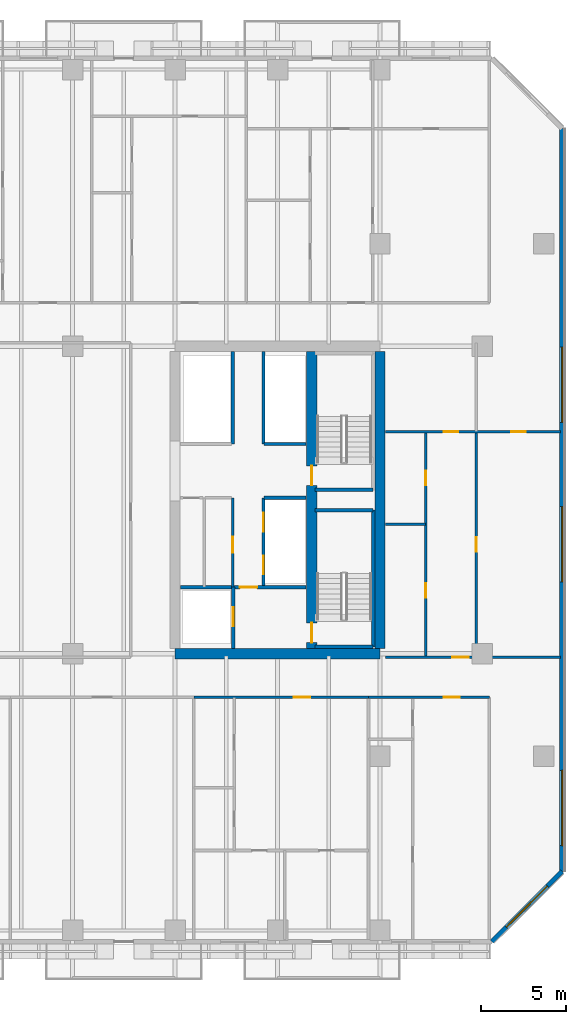
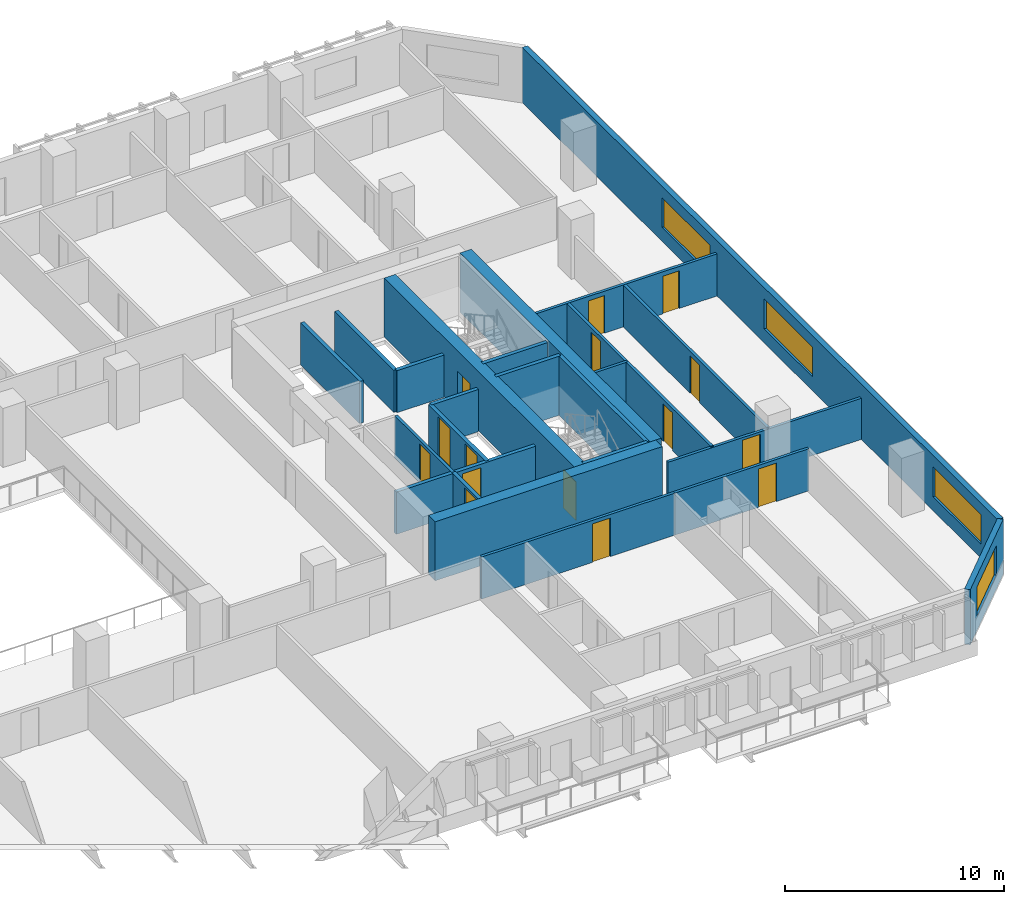
# One storey, part 14 of 25: 24 walls, 15 doors, 4 windows, 19 openings.
"""IFC4 building model written with IfcOpenShell, lengths in metres."""

import ifcopenshell
import ifcopenshell.guid

model = None  # the IFC model being written
_history = None  # IfcOwnerHistory: only IFC2X3 demands one
_inside = {}  # id of a spatial element -> (the spatial element, [elements in it])
_under = {}  # id of a project, library or spatial element -> (it, [spatial elements below it])
_declared = {}  # id of a project -> (the project, [libraries it declares])
_typed = {}  # id of a type object -> (the type object, [elements of that type])
_made_of = {}  # id of a material, layer set ... -> (it, [elements and type objects made of it])


def new_model(schema):
    """Start an empty IFC model of exactly this schema.

    Asked for "IFC4X3", IfcOpenShell would pick the latest addendum, in which some entities
    have other attributes; the version numbers below select the first issue.
    IFC2X3 requires an IfcOwnerHistory on every rooted entity: one is made here for all.
    """
    global model, _history
    if schema == "IFC4X3":
        model = ifcopenshell.file(schema_version=(4, 3, 0, 0))
    else:
        model = ifcopenshell.file(schema=schema)
    _inside.clear()
    _under.clear()
    _declared.clear()
    _typed.clear()
    _made_of.clear()
    _history = None
    if model.schema == "IFC2X3":
        org = make("IfcOrganization", Name="unknown")
        user = make(
            "IfcPersonAndOrganization",
            ThePerson=make("IfcPerson", FamilyName="unknown"),
            TheOrganization=org,
        )
        app = make(
            "IfcApplication",
            ApplicationDeveloper=org,
            Version="unknown",
            ApplicationFullName="unknown",
            ApplicationIdentifier="unknown",
        )
        _history = make(
            "IfcOwnerHistory",
            OwningUser=user,
            OwningApplication=app,
            ChangeAction="ADDED",
            CreationDate=0,
        )
    return model


def make(cls, **values):
    """One entity of the class cls with the attributes given. An attribute that is None is left unset."""
    return model.create_entity(
        cls, **{name: value for name, value in values.items() if value is not None}
    )


def rooted(cls, **values):
    """An entity with a GlobalId (a new one), such as an element, a storey or a relation."""
    return make(cls, GlobalId=ifcopenshell.guid.new(), OwnerHistory=_history, **values)


def si_unit(unit_type, name, prefix=None):
    """IfcSIUnit, for example si_unit("LENGTHUNIT", "METRE", prefix="MILLI")."""
    return make("IfcSIUnit", UnitType=unit_type, Prefix=prefix, Name=name)


def assignment(units):
    """IfcUnitAssignment: the units of a project."""
    return None if units is None else make("IfcUnitAssignment", Units=units)


def point(xyz):
    """IfcCartesianPoint."""
    return None if xyz is None else make("IfcCartesianPoint", Coordinates=xyz)


def direction(xyz):
    """IfcDirection."""
    return None if xyz is None else make("IfcDirection", DirectionRatios=xyz)


def frame(location, z_axis=None, x_axis=None):
    """IfcAxis2Placement3D, a coordinate frame: its origin and axes. An axis left out is left unset."""
    return make(
        "IfcAxis2Placement3D",
        Location=point(location),
        Axis=direction(z_axis),
        RefDirection=direction(x_axis),
    )


def frame_2d(location, x_axis=None):
    """IfcAxis2Placement2D, a coordinate frame in the plane: its origin and x axis."""
    return make(
        "IfcAxis2Placement2D", Location=point(location), RefDirection=direction(x_axis)
    )


def origin():
    """The frame at (0, 0, 0) with its axes left unset."""
    return frame((0.0, 0.0, 0.0))


def place(relative_to, where):
    """IfcLocalPlacement: puts the frame where relative to a parent placement (None: the world)."""
    return make(
        "IfcLocalPlacement", PlacementRelTo=relative_to, RelativePlacement=where
    )


def context(
    kind, dimensions, precision=None, world=None, true_north=None, identifier=None
):
    """IfcGeometricRepresentationContext, for example the 3D "Model" context."""
    return make(
        "IfcGeometricRepresentationContext",
        ContextIdentifier=identifier,
        ContextType=kind,
        CoordinateSpaceDimension=dimensions,
        Precision=precision,
        WorldCoordinateSystem=world,
        TrueNorth=true_north,
    )


def subcontext(parent, identifier, kind, view, scale=None):
    """IfcGeometricRepresentationSubContext, for example "Body" below "Model"."""
    return make(
        "IfcGeometricRepresentationSubContext",
        ContextIdentifier=identifier,
        ContextType=kind,
        ParentContext=parent,
        TargetScale=scale,
        TargetView=view,
    )


def project(units=None, contexts=None):
    """IfcProject with its units and contexts."""
    return rooted(
        "IfcProject",
        Name="project",
        RepresentationContexts=contexts,
        UnitsInContext=assignment(units),
    )


def spatial(cls, under=None, at=None, **own):
    """A site, building, storey or space (cls), placed at a placement, below another one or the project."""
    s = rooted(cls, ObjectPlacement=at, **own)
    if under is not None:
        _under.setdefault(under.id(), (under, []))[1].append(s)
    return s


def profile(cls, at=None, kind="AREA", **sizes):
    """A parametric profile (cls). Its sizes go by their IFC names, for example OverallWidth=200.0."""
    return make(cls, ProfileType=kind, Position=at, **sizes)


def rectangle(**sizes):
    """IfcRectangleProfileDef."""
    return profile("IfcRectangleProfileDef", **sizes)


def extrude(swept, where, along, depth):
    """IfcExtrudedAreaSolid: the profile swept, set in the frame where, extruded along a direction by depth."""
    return make(
        "IfcExtrudedAreaSolid",
        SweptArea=swept,
        Position=where,
        ExtrudedDirection=direction(along),
        Depth=depth,
    )


def shape(context_of_items, identifier, shape_type, items):
    """IfcShapeRepresentation: the items that make up one representation, for example the "Body"."""
    return make(
        "IfcShapeRepresentation",
        ContextOfItems=context_of_items,
        RepresentationIdentifier=identifier,
        RepresentationType=shape_type,
        Items=items,
    )


def material(Name=None, Category=None):
    """IfcMaterial."""
    return make("IfcMaterial", Name=Name, Category=Category)


def layer(
    of_material, thickness, ventilated=None, Name=None, Category=None, Priority=None
):
    """IfcMaterialLayer: one layer of a wall or slab, of a material (None: an air gap)."""
    return make(
        "IfcMaterialLayer",
        Material=of_material,
        LayerThickness=thickness,
        IsVentilated=ventilated,
        Name=Name,
        Category=Category,
        Priority=Priority,
    )


def layer_set(layers, Name=None):
    """IfcMaterialLayerSet."""
    return make("IfcMaterialLayerSet", MaterialLayers=layers, LayerSetName=Name)


def made_of(thing, what):
    """Note that an element or type object is made of a material, layer set ...; save() writes the relation."""
    if what is not None:
        _made_of.setdefault(what.id(), (what, []))[1].append(thing)
    return thing


def type_object(cls, material=None, **own):
    """A type object (cls), such as IfcWallType, which elements share."""
    return made_of(rooted(cls, **own), material)


def element(
    cls,
    number,
    at=None,
    inside=None,
    cuts=None,
    type_object=None,
    material=None,
    context=None,
    identifier="Body",
    shape_type=None,
    held_by="IfcProductDefinitionShape",
    body=None,
    shapes=None,
    **own,
):
    """One element of the class cls, such as IfcWall. Its Tag is "e" and its number.

    at: its placement. inside: the storey or other place that contains it. cuts: it is an
    opening in that element (IfcRelVoidsElement). A single representation is given by context,
    identifier, shape_type and body (its items); several are given by shapes. held_by: the class
    of the entity that holds the representations. save() writes the other relations.
    """
    e = rooted(cls, Tag="e%d" % number, ObjectPlacement=at, **own)
    if body is not None:
        shapes = [shape(context, identifier, shape_type, body)]
    if shapes is not None:
        e.Representation = make(held_by, Representations=shapes)
    if inside is not None:
        _inside.setdefault(inside.id(), (inside, []))[1].append(e)
    if cuts is not None:
        rooted(
            "IfcRelVoidsElement", RelatingBuildingElement=cuts, RelatedOpeningElement=e
        )
    if type_object is not None:
        _typed.setdefault(type_object.id(), (type_object, []))[1].append(e)
    return made_of(e, material)


def fill(opening, filler):
    """IfcRelFillsElement: the door or window that sits in an opening."""
    return rooted(
        "IfcRelFillsElement",
        RelatingOpeningElement=opening,
        RelatedBuildingElement=filler,
    )


def aggregate(whole, parts):
    """IfcRelAggregates: a whole, such as a stair, and the parts it consists of."""
    return rooted("IfcRelAggregates", RelatingObject=whole, RelatedObjects=parts)


def save(model, path):
    """Write the relations noted so far, then the file.

    IfcRelAggregates (storeys below a building ...), IfcRelContainedInSpatialStructure (elements
    in a storey), IfcRelDefinesByType, IfcRelAssociatesMaterial and IfcRelDeclares: one each for
    every whole, place, type object, material and project.
    """
    for whole, parts in _under.values():
        aggregate(whole, parts)
    for where, things in _inside.values():
        rooted(
            "IfcRelContainedInSpatialStructure",
            RelatedElements=things,
            RelatingStructure=where,
        )
    for kind, things in _typed.values():
        rooted("IfcRelDefinesByType", RelatedObjects=things, RelatingType=kind)
    for what, things in _made_of.values():
        rooted("IfcRelAssociatesMaterial", RelatedObjects=things, RelatingMaterial=what)
    for by, libraries in _declared.values():
        rooted("IfcRelDeclares", RelatingContext=by, RelatedDefinitions=libraries)
    model.write(path)


model = new_model("IFC4")

# Units and contexts
model_context = context("Model", 3, precision=1e-05, world=origin(), true_north=direction((0.0, 1.0)))
body_context = subcontext(model_context, "Body", "Model", "MODEL_VIEW")
ifc_project = project(units=[si_unit("LENGTHUNIT", "METRE"), si_unit("AREAUNIT", "SQUARE_METRE"), si_unit("VOLUMEUNIT", "CUBIC_METRE"), si_unit("PLANEANGLEUNIT", "RADIAN"), si_unit("MASSUNIT", "GRAM", prefix="KILO")], contexts=[model_context])

# Site, building, storey
site_placement = place(None, origin())
site = spatial("IfcSite", under=ifc_project, at=site_placement, CompositionType="ELEMENT")
building_placement = place(site_placement, origin())
building = spatial("IfcBuilding", under=site, at=building_placement, Name="Tanjung Sevakor Pilgrim Tower", CompositionType="ELEMENT")
storey_placement = place(building_placement, frame((0.0, 0.0, 42.239990234375)))
storey = spatial("IfcBuildingStorey", under=building, at=storey_placement, Name="L11", CompositionType="ELEMENT", Elevation=42.239990234375)

# Walls
ifc_material_1 = material(Name="Concrete C60/75", Category="concrete")
ifc_layer_1 = layer(ifc_material_1, 0.60009765625)
ifc_layer_set_1 = layer_set([ifc_layer_1], Name="WALL-CW-600")
wall_type_1 = type_object("IfcWallType", Name="WALL-CW-600", PredefinedType="SHEAR", material=ifc_layer_set_1)
wall_1_placement = place(storey_placement, frame((78.0, 24.60009765625, 0.0), z_axis=(0.0, 0.0, 1.0), x_axis=(1.0, 0.0, 0.0)))
element("IfcWall", 1, at=wall_1_placement, inside=storey, type_object=wall_type_1, Name="L11 E Core South Shear Wall", PredefinedType="SHEAR", context=body_context, shape_type="SweptSolid", body=[
    extrude(rectangle(XDim=12.0, YDim=0.60009765625, at=frame_2d((6.0, 0.0))), origin(), (0.0, 0.0, 1.0), 3.300048828125),
])
wall_2_placement = place(storey_placement, frame((90.0, 24.89990234375, 0.0), z_axis=(0.0, 0.0, 1.0), x_axis=(0.0, 1.0, 0.0)))
element("IfcWall", 2, at=wall_2_placement, inside=storey, type_object=wall_type_1, Name="L11 E Core Outer Shear Wall", PredefinedType="SHEAR", context=body_context, shape_type="SweptSolid", body=[
    extrude(rectangle(XDim=17.400146484375, YDim=0.60009765625, at=frame_2d((8.7001953125, 0.0))), origin(), (0.0, 0.0, 1.0), 3.300048828125),
])

# Wall, openings, doors
wall_3_placement = place(storey_placement, frame((86.0, 24.89990234375, 0.0), z_axis=(0.0, 0.0, 1.0), x_axis=(0.0, 1.0, 0.0)))
wall_3 = element("IfcWall", 3, at=wall_3_placement, inside=storey, type_object=wall_type_1, Name="L11 E Core Stair Spine Wall", PredefinedType="SHEAR", context=body_context, shape_type="SweptSolid", body=[
    extrude(rectangle(XDim=17.400146484375, YDim=0.60009765625, at=frame_2d((8.7001953125, 0.0))), origin(), (0.0, 0.0, 1.0), 3.300048828125),
])
opening_1_placement = place(wall_3_placement, frame((0.35009765625, 0.0, 0.0)))
opening_1 = element("IfcOpeningElement", 4, at=opening_1_placement, cuts=wall_3, Name="Opening ID-ST1", PredefinedType="OPENING", context=body_context, shape_type="SweptSolid", body=[
    extrude(rectangle(XDim=1.14990234375, YDim=2.14990234375, at=frame_2d((0.574951171875, 1.074951171875))), frame((0.0, 0.31005859375, 0.0), z_axis=(0.0, -1.0, 0.0), x_axis=(1.0, 0.0, 0.0)), (0.0, 0.0, 1.0), 0.6201171875),
])
opening_2_placement = place(wall_3_placement, frame((9.550048828125, 0.0, 0.0)))
opening_2 = element("IfcOpeningElement", 5, at=opening_2_placement, cuts=wall_3, Name="Opening ID-ST1", PredefinedType="OPENING", context=body_context, shape_type="SweptSolid", body=[
    extrude(rectangle(XDim=1.14990234375, YDim=2.14990234375, at=frame_2d((0.574951171875, 1.074951171875))), frame((0.0, 0.31005859375, 0.0), z_axis=(0.0, -1.0, 0.0), x_axis=(1.0, 0.0, 0.0)), (0.0, 0.0, 1.0), 0.6201171875),
])
ifc_material_2 = material(Name="Fire-Rated Steel S355J2", Category="steel")
door_type_1 = type_object("IfcDoorType", Name="DT-FIRE-1150", OperationType="NOTDEFINED", PredefinedType="DOOR", material=ifc_material_2)
door_1_placement = place(opening_1_placement, origin())
door_1 = element("IfcDoor", 6, at=door_1_placement, inside=storey, type_object=door_type_1, Name="L11 TS-E1 Stair Fire Door", OperationType="SINGLE_SWING_RIGHT", OverallHeight=2.14990234375, OverallWidth=1.14990234375, PredefinedType="DOOR", context=body_context, shape_type="SweptSolid", body=[
    extrude(rectangle(XDim=1.14990234375, YDim=2.14990234375, at=frame_2d((0.574951171875, 1.074951171875))), frame((0.0, 0.02490234375, 0.0), z_axis=(0.0, -1.0, 0.0), x_axis=(1.0, 0.0, 0.0)), (0.0, 0.0, 1.0), 0.050048828125),
])
fill(opening_1, door_1)
door_2_placement = place(opening_2_placement, origin())
door_2 = element("IfcDoor", 7, at=door_2_placement, inside=storey, type_object=door_type_1, Name="L11 TS-E2 Stair Fire Door", OperationType="SINGLE_SWING_LEFT", OverallHeight=2.14990234375, OverallWidth=1.14990234375, PredefinedType="DOOR", context=body_context, shape_type="SweptSolid", body=[
    extrude(rectangle(XDim=1.14990234375, YDim=2.14990234375, at=frame_2d((0.574951171875, 1.074951171875))), frame((0.0, 0.02490234375, 0.0), z_axis=(0.0, -1.0, 0.0), x_axis=(1.0, 0.0, 0.0)), (0.0, 0.0, 1.0), 0.050048828125),
])
fill(opening_2, door_2)

# Wall, opening, door
ifc_material_3 = material(Name="Concrete C40/50", Category="concrete")
ifc_layer_2 = layer(ifc_material_3, 0.14990234375)
ifc_layer_set_2 = layer_set([ifc_layer_2], Name="WT-COMP-150")
wall_type_2 = type_object("IfcWallType", Name="WT-COMP-150", PredefinedType="SOLIDWALL", material=ifc_layer_set_2)
wall_4_placement = place(storey_placement, frame((81.3798828125, 28.5, 0.0), z_axis=(0.0, 0.0, 1.0), x_axis=(0.0, 1.0, 0.0)))
wall_4 = element("IfcWall", 8, at=wall_4_placement, inside=storey, type_object=wall_type_2, Name="L11 Partition IW-L11-020", PredefinedType="SOLIDWALL", context=body_context, shape_type="SweptSolid", body=[
    extrude(rectangle(XDim=5.219970703125, YDim=0.14990234375, at=frame_2d((2.60986328125, 0.0))), origin(), (0.0, 0.0, 1.0), 2.35009765625),
])
opening_3_placement = place(wall_4_placement, frame((2.0, 0.0, 0.0)))
opening_3 = element("IfcOpeningElement", 9, at=opening_3_placement, cuts=wall_4, Name="Opening ID-FD2", PredefinedType="OPENING", context=body_context, shape_type="SweptSolid", body=[
    extrude(rectangle(XDim=0.949951171875, YDim=2.14990234375, at=frame_2d((0.47509765625, 1.074951171875))), frame((0.0, 0.0849609375, 0.0), z_axis=(0.0, -1.0, 0.0), x_axis=(1.0, 0.0, 0.0)), (0.0, 0.0, 1.0), 0.169921875),
])
ifc_material_4 = material(Name="Fire-Rated Timber", Category="wood")
door_type_2 = type_object("IfcDoorType", Name="DT-FIRE-950", OperationType="NOTDEFINED", PredefinedType="DOOR", material=ifc_material_4)
door_3_placement = place(opening_3_placement, origin())
door_3 = element("IfcDoor", 10, at=door_3_placement, inside=storey, type_object=door_type_2, Name="L11 Accessible WC Door", OperationType="SINGLE_SWING_LEFT", OverallHeight=2.14990234375, OverallWidth=0.949951171875, PredefinedType="DOOR", context=body_context, shape_type="SweptSolid", body=[
    extrude(rectangle(XDim=0.949951171875, YDim=2.14990234375, at=frame_2d((0.47509765625, 1.074951171875))), frame((0.0, 0.02490234375, 0.0), z_axis=(0.0, -1.0, 0.0), x_axis=(1.0, 0.0, 0.0)), (0.0, 0.0, 1.0), 0.050048828125),
])
fill(opening_3, door_3)

wall_5_placement = place(storey_placement, frame((90.320068359375, 24.39990234375, 0.0), z_axis=(0.0, 0.0, 1.0), x_axis=(1.0, 0.0, 0.0)))
wall_5 = element("IfcWall", 11, at=wall_5_placement, inside=storey, type_object=wall_type_2, Name="L11 Partition IW-L11-039", PredefinedType="SOLIDWALL", context=body_context, shape_type="SweptSolid", body=[
    extrude(rectangle(XDim=10.239990234375, YDim=0.14990234375, at=frame_2d((5.1201171875, 0.0))), origin(), (0.0, 0.0, 1.0), 2.295166015625),
])
opening_4_placement = place(wall_5_placement, frame((3.91259765625, 0.0, 0.0)))
opening_4 = element("IfcOpeningElement", 12, at=opening_4_placement, cuts=wall_5, Name="Opening ID-FD2", PredefinedType="OPENING", context=body_context, shape_type="SweptSolid", body=[
    extrude(rectangle(XDim=0.949951171875, YDim=2.14990234375, at=frame_2d((0.47509765625, 1.074951171875))), frame((0.0, 0.0849609375, 0.0), z_axis=(0.0, -1.0, 0.0), x_axis=(1.0, 0.0, 0.0)), (0.0, 0.0, 1.0), 0.169921875),
])
door_4_placement = place(opening_4_placement, origin())
door_4 = element("IfcDoor", 13, at=door_4_placement, inside=storey, type_object=door_type_2, Name="Suite Entrance", OperationType="SINGLE_SWING_RIGHT", OverallHeight=2.14990234375, OverallWidth=0.949951171875, PredefinedType="DOOR", context=body_context, shape_type="SweptSolid", body=[
    extrude(rectangle(XDim=0.949951171875, YDim=2.14990234375, at=frame_2d((0.47509765625, 1.074951171875))), frame((0.0, 0.02490234375, 0.0), z_axis=(0.0, -1.0, 0.0), x_axis=(1.0, 0.0, 0.0)), (0.0, 0.0, 1.0), 0.050048828125),
])
fill(opening_4, door_4)

wall_6_placement = place(storey_placement, frame((79.107177734375, 22.050048828125, 0.0), z_axis=(0.0, 0.0, 1.0), x_axis=(1.0, 0.0, 0.0)))
wall_6 = element("IfcWall", 14, at=wall_6_placement, inside=storey, type_object=wall_type_2, Name="L11 Partition IW-L11-062", PredefinedType="SOLIDWALL", context=body_context, shape_type="SweptSolid", body=[
    extrude(rectangle(XDim=10.218505859375, YDim=0.14990234375, at=frame_2d((5.109375, 0.0))), origin(), (0.0, 0.0, 1.0), 2.35009765625),
])
opening_5_placement = place(wall_6_placement, frame((5.849365234375, 0.0, 0.0)))
opening_5 = element("IfcOpeningElement", 15, at=opening_5_placement, cuts=wall_6, Name="Opening ID-FD2", PredefinedType="OPENING", context=body_context, shape_type="SweptSolid", body=[
    extrude(rectangle(XDim=0.949951171875, YDim=2.14990234375, at=frame_2d((0.47509765625, 1.074951171875))), frame((0.0, 0.0849609375, 0.0), z_axis=(0.0, -1.0, 0.0), x_axis=(1.0, 0.0, 0.0)), (0.0, 0.0, 1.0), 0.169921875),
])
door_5_placement = place(opening_5_placement, origin())
door_5 = element("IfcDoor", 16, at=door_5_placement, inside=storey, type_object=door_type_2, Name="Suite Entrance", OperationType="SINGLE_SWING_RIGHT", OverallHeight=2.14990234375, OverallWidth=0.949951171875, PredefinedType="DOOR", context=body_context, shape_type="SweptSolid", body=[
    extrude(rectangle(XDim=0.949951171875, YDim=2.14990234375, at=frame_2d((0.47509765625, 1.074951171875))), frame((0.0, 0.02490234375, 0.0), z_axis=(0.0, -1.0, 0.0), x_axis=(1.0, 0.0, 0.0)), (0.0, 0.0, 1.0), 0.050048828125),
])
fill(opening_5, door_5)

wall_7_placement = place(storey_placement, frame((89.32568359375, 22.050048828125, 0.0), z_axis=(0.0, 0.0, 1.0), x_axis=(1.0, 0.0, 0.0)))
wall_7 = element("IfcWall", 17, at=wall_7_placement, inside=storey, type_object=wall_type_2, Name="L11 Partition IW-L11-065", PredefinedType="SOLIDWALL", context=body_context, shape_type="SweptSolid", body=[
    extrude(rectangle(XDim=7.07421875, YDim=0.14990234375, at=frame_2d((3.537109375, 0.0))), origin(), (0.0, 0.0, 1.0), 2.35009765625),
])
opening_6_placement = place(wall_7_placement, frame((4.3994140625, 0.0, 0.0)))
opening_6 = element("IfcOpeningElement", 18, at=opening_6_placement, cuts=wall_7, Name="Opening ID-FD2", PredefinedType="OPENING", context=body_context, shape_type="SweptSolid", body=[
    extrude(rectangle(XDim=0.949951171875, YDim=2.14990234375, at=frame_2d((0.47509765625, 1.074951171875))), frame((0.0, 0.0849609375, 0.0), z_axis=(0.0, -1.0, 0.0), x_axis=(1.0, 0.0, 0.0)), (0.0, 0.0, 1.0), 0.169921875),
])
door_6_placement = place(opening_6_placement, origin())
door_6 = element("IfcDoor", 19, at=door_6_placement, inside=storey, type_object=door_type_2, Name="Hostel Quad Entrance", OperationType="SINGLE_SWING_LEFT", OverallHeight=2.14990234375, OverallWidth=0.949951171875, PredefinedType="DOOR", context=body_context, shape_type="SweptSolid", body=[
    extrude(rectangle(XDim=0.949951171875, YDim=2.14990234375, at=frame_2d((0.47509765625, 1.074951171875))), frame((0.0, 0.02490234375, 0.0), z_axis=(0.0, -1.0, 0.0), x_axis=(1.0, 0.0, 0.0)), (0.0, 0.0, 1.0), 0.050048828125),
])
fill(opening_6, door_6)

# Wall, opening, window
ifc_material_5 = material(Name="Precast concrete C45/55", Category="concrete")
ifc_layer_3 = layer(ifc_material_5, 0.280029296875)
ifc_layer_set_3 = layer_set([ifc_layer_3], Name="WT-EW-STN2")
wall_type_3 = type_object("IfcWallType", Name="WT-EW-STN2", PredefinedType="SOLIDWALL", material=ifc_layer_set_3)
wall_8_placement = place(storey_placement, frame((96.5419921875, 7.739990234375, 0.0), z_axis=(0.0, 0.0, 1.0), x_axis=(0.707106781187, 0.707106781187, 0.0)))
wall_8 = element("IfcWall", 20, at=wall_8_placement, inside=storey, type_object=wall_type_3, Name="L11 MAIN Sculpted Corner Wall 5", PredefinedType="SOLIDWALL", context=body_context, shape_type="SweptSolid", body=[
    extrude(rectangle(XDim=5.82373046875, YDim=0.280029296875, at=frame_2d((2.911865234375, 0.0))), origin(), (0.0, 0.0, 1.0), 3.080078125),
])
opening_7_placement = place(wall_8_placement, frame((1.2119140625, 0.0, 0.780029296875)))
opening_7 = element("IfcOpeningElement", 21, at=opening_7_placement, cuts=wall_8, Name="Opening WN-CHM-1660", PredefinedType="OPENING", context=body_context, shape_type="SweptSolid", body=[
    extrude(rectangle(XDim=3.39990234375, YDim=1.659912109375, at=frame_2d((1.699951171875, 0.830078125))), frame((0.0, 0.14990234375, 0.0), z_axis=(0.0, -1.0, 0.0), x_axis=(1.0, 0.0, 0.0)), (0.0, 0.0, 1.0), 0.300048828125),
])
ifc_material_6 = material(Name="Thermally Broken Aluminium and Low-E Glass", Category="aluminium")
window_type_1 = type_object("IfcWindowType", Name="WTYP-WN-CHM-1660", PartitioningType="DOUBLE_PANEL_VERTICAL", PredefinedType="WINDOW", material=ifc_material_6)
window_1_placement = place(opening_7_placement, origin())
window_1 = element("IfcWindow", 22, at=window_1_placement, inside=storey, type_object=window_type_1, Name="L11 Facade Window 01", OverallHeight=1.659912109375, OverallWidth=3.39990234375, PartitioningType="SINGLE_PANEL", PredefinedType="WINDOW", context=body_context, shape_type="SweptSolid", body=[
    extrude(rectangle(XDim=3.39990234375, YDim=1.659912109375, at=frame_2d((1.699951171875, 0.830078125))), frame((0.0, 0.030029296875, 0.0), z_axis=(0.0, -1.0, 0.0), x_axis=(1.0, 0.0, 0.0)), (0.0, 0.0, 1.0), 0.06005859375),
])
fill(opening_7, window_1)

# Wall, openings, windows
wall_9_placement = place(storey_placement, frame((100.659912109375, 11.85791015625, 0.0), z_axis=(0.0, 0.0, 1.0), x_axis=(0.0, 1.0, 0.0)))
wall_9 = element("IfcWall", 23, at=wall_9_placement, inside=storey, type_object=wall_type_3, Name="L11 MAIN Exterior Wall 7", PredefinedType="SOLIDWALL", context=body_context, shape_type="SweptSolid", body=[
    extrude(rectangle(XDim=43.484130859375, YDim=0.280029296875, at=frame_2d((21.7421875, 0.0))), origin(), (0.0, 0.0, 1.0), 3.080078125),
])
opening_8_placement = place(wall_9_placement, frame((16.951904296875, 0.0, 0.780029296875)))
opening_8 = element("IfcOpeningElement", 24, at=opening_8_placement, cuts=wall_9, Name="Opening WN-ENDW-1660", PredefinedType="OPENING", context=body_context, shape_type="SweptSolid", body=[
    extrude(rectangle(XDim=4.39990234375, YDim=1.659912109375, at=frame_2d((2.199951171875, 0.830078125))), frame((0.0, 0.14990234375, 0.0), z_axis=(0.0, -1.0, 0.0), x_axis=(1.0, 0.0, 0.0)), (0.0, 0.0, 1.0), 0.300048828125),
])
opening_9_placement = place(wall_9_placement, frame((26.2919921875, 0.0, 0.780029296875)))
opening_9 = element("IfcOpeningElement", 25, at=opening_9_placement, cuts=wall_9, Name="Opening WN-ENDW-1660", PredefinedType="OPENING", context=body_context, shape_type="SweptSolid", body=[
    extrude(rectangle(XDim=4.39990234375, YDim=1.659912109375, at=frame_2d((2.199951171875, 0.830078125))), frame((0.0, 0.14990234375, 0.0), z_axis=(0.0, -1.0, 0.0), x_axis=(1.0, 0.0, 0.0)), (0.0, 0.0, 1.0), 0.300048828125),
])
opening_10_placement = place(wall_9_placement, frame((1.510986328125, 0.0, 0.780029296875)))
opening_10 = element("IfcOpeningElement", 26, at=opening_10_placement, cuts=wall_9, Name="Opening WN-ENDW-1660", PredefinedType="OPENING", context=body_context, shape_type="SweptSolid", body=[
    extrude(rectangle(XDim=4.39990234375, YDim=1.659912109375, at=frame_2d((2.199951171875, 0.830078125))), frame((0.0, 0.14990234375, 0.0), z_axis=(0.0, -1.0, 0.0), x_axis=(1.0, 0.0, 0.0)), (0.0, 0.0, 1.0), 0.300048828125),
])
ifc_material_7 = material(Name="Thermally Broken Aluminium and Low-E Glass", Category="aluminium")
window_type_2 = type_object("IfcWindowType", Name="WTYP-WN-ENDW-1660", PartitioningType="DOUBLE_PANEL_VERTICAL", PredefinedType="WINDOW", material=ifc_material_7)
window_2_placement = place(opening_8_placement, origin())
window_2 = element("IfcWindow", 27, at=window_2_placement, inside=storey, type_object=window_type_2, Name="L11 Facade Window 01", OverallHeight=1.659912109375, OverallWidth=4.39990234375, PartitioningType="SINGLE_PANEL", PredefinedType="WINDOW", context=body_context, shape_type="SweptSolid", body=[
    extrude(rectangle(XDim=4.39990234375, YDim=1.659912109375, at=frame_2d((2.199951171875, 0.830078125))), frame((0.0, 0.030029296875, 0.0), z_axis=(0.0, -1.0, 0.0), x_axis=(1.0, 0.0, 0.0)), (0.0, 0.0, 1.0), 0.06005859375),
])
fill(opening_8, window_2)
window_3_placement = place(opening_9_placement, origin())
window_3 = element("IfcWindow", 28, at=window_3_placement, inside=storey, type_object=window_type_2, Name="L11 Facade Window 02", OverallHeight=1.659912109375, OverallWidth=4.39990234375, PartitioningType="SINGLE_PANEL", PredefinedType="WINDOW", context=body_context, shape_type="SweptSolid", body=[
    extrude(rectangle(XDim=4.39990234375, YDim=1.659912109375, at=frame_2d((2.199951171875, 0.830078125))), frame((0.0, 0.030029296875, 0.0), z_axis=(0.0, -1.0, 0.0), x_axis=(1.0, 0.0, 0.0)), (0.0, 0.0, 1.0), 0.06005859375),
])
fill(opening_9, window_3)
window_4_placement = place(opening_10_placement, origin())
window_4 = element("IfcWindow", 29, at=window_4_placement, inside=storey, type_object=window_type_2, Name="L11 Facade Window 03", OverallHeight=1.659912109375, OverallWidth=4.39990234375, PartitioningType="SINGLE_PANEL", PredefinedType="WINDOW", context=body_context, shape_type="SweptSolid", body=[
    extrude(rectangle(XDim=4.39990234375, YDim=1.659912109375, at=frame_2d((2.199951171875, 0.830078125))), frame((0.0, 0.030029296875, 0.0), z_axis=(0.0, -1.0, 0.0), x_axis=(1.0, 0.0, 0.0)), (0.0, 0.0, 1.0), 0.06005859375),
])
fill(opening_10, window_4)

# Walls
ifc_material_8 = material(Name="Concrete C40/50", Category="concrete")
ifc_layer_4 = layer(ifc_material_8, 0.199951171875)
ifc_layer_set_4 = layer_set([ifc_layer_4], Name="WT-FIRE-200")
wall_type_4 = type_object("IfcWallType", Name="WT-FIRE-200", PredefinedType="SOLIDWALL", material=ifc_layer_set_4)
wall_10_placement = place(storey_placement, frame((86.199951171875, 25.0, 0.0), z_axis=(0.0, 0.0, 1.0), x_axis=(1.0, 0.0, 0.0)))
element("IfcWall", 30, at=wall_10_placement, inside=storey, type_object=wall_type_4, Name="L11 TS-E1 Shaft Wall 1", PredefinedType="SOLIDWALL", context=body_context, shape_type="SweptSolid", body=[
    extrude(rectangle(XDim=3.400146484375, YDim=0.199951171875, at=frame_2d((1.7001953125, 0.0))), origin(), (0.0, 0.0, 1.0), 3.300048828125),
])
wall_11_placement = place(storey_placement, frame((89.60009765625, 25.0, 0.0), z_axis=(0.0, 0.0, 1.0), x_axis=(0.0, 1.0, 0.0)))
element("IfcWall", 31, at=wall_11_placement, inside=storey, type_object=wall_type_4, Name="L11 TS-E1 Shaft Wall 2", PredefinedType="SOLIDWALL", context=body_context, shape_type="SweptSolid", body=[
    extrude(rectangle(XDim=8.0, YDim=0.199951171875, at=frame_2d((4.0, 0.0))), origin(), (0.0, 0.0, 1.0), 3.300048828125),
])
for number, where, z_axis, x_axis, name in (
    (32, (89.60009765625, 33.0, 0.0), (0.0, 0.0, 1.0), (-1.0, 0.0, 0.0), "L11 TS-E1 Shaft Wall 3"),
    (33, (86.199951171875, 34.199951171875, 0.0), (0.0, 0.0, 1.0), (1.0, 0.0, 0.0), "L11 TS-E2 Shaft Wall 1"),
):
    element("IfcWall", number, at=place(storey_placement, frame(where, z_axis=z_axis, x_axis=x_axis)), inside=storey, type_object=wall_type_4, Name=name, PredefinedType="SOLIDWALL", context=body_context, shape_type="SweptSolid", body=[
        extrude(rectangle(XDim=3.400146484375, YDim=0.199951171875, at=frame_2d((1.7001953125, 0.0))), origin(), (0.0, 0.0, 1.0), 3.300048828125),
    ])

# Wall, opening, door
ifc_material_9 = material(Name="Concrete C40/50", Category="concrete")
ifc_layer_5 = layer(ifc_material_9, 0.199951171875)
ifc_layer_set_5 = layer_set([ifc_layer_5], Name="WT-FPRT-200")
wall_type_5 = type_object("IfcWallType", Name="WT-FPRT-200", PredefinedType="SOLIDWALL", material=ifc_layer_set_5)
wall_12_placement = place(storey_placement, frame((81.39990234375, 24.919921875, 0.0), z_axis=(0.0, 0.0, 1.0), x_axis=(0.0, 1.0, 0.0)))
wall_12 = element("IfcWall", 34, at=wall_12_placement, inside=storey, type_object=wall_type_5, Name="L11 Partition IW-L11-013", PredefinedType="SOLIDWALL", context=body_context, shape_type="SweptSolid", body=[
    extrude(rectangle(XDim=3.580078125, YDim=0.199951171875, at=frame_2d((1.7900390625, 0.0))), origin(), (0.0, 0.0, 1.0), 2.35009765625),
])
opening_11_placement = place(wall_12_placement, frame((1.300048828125, 0.0, 0.0)))
opening_11 = element("IfcOpeningElement", 35, at=opening_11_placement, cuts=wall_12, Name="Opening LD-1100", PredefinedType="OPENING", context=body_context, shape_type="SweptSolid", body=[
    extrude(rectangle(XDim=1.10009765625, YDim=2.199951171875, at=frame_2d((0.550048828125, 1.10009765625))), frame((0.0, 0.10986328125, 0.0), z_axis=(0.0, -1.0, 0.0), x_axis=(1.0, 0.0, 0.0)), (0.0, 0.0, 1.0), 0.219970703125),
])
ifc_material_10 = material(Name="Brushed Stainless Steel S355J2", Category="steel")
door_type_3 = type_object("IfcDoorType", Name="DT-LIFT-1100", OperationType="SLIDING_TO_LEFT", PredefinedType="DOOR", material=ifc_material_10)
door_7_placement = place(opening_11_placement, origin())
door_7 = element("IfcDoor", 36, at=door_7_placement, inside=storey, type_object=door_type_3, Name="LD-FL-E", OperationType="SLIDING_TO_LEFT", OverallHeight=2.199951171875, OverallWidth=1.10009765625, PredefinedType="DOOR", context=body_context, shape_type="SweptSolid", body=[
    extrude(rectangle(XDim=1.10009765625, YDim=2.199951171875, at=frame_2d((0.550048828125, 1.10009765625))), frame((0.0, 0.02490234375, 0.0), z_axis=(0.0, -1.0, 0.0), x_axis=(1.0, 0.0, 0.0)), (0.0, 0.0, 1.0), 0.050048828125),
])
fill(opening_11, door_7)

wall_13_placement = place(storey_placement, frame((78.320068359375, 28.5, 0.0), z_axis=(0.0, 0.0, 1.0), x_axis=(1.0, 0.0, 0.0)))
wall_13 = element("IfcWall", 37, at=wall_13_placement, inside=storey, type_object=wall_type_5, Name="L11 Partition IW-L11-014", PredefinedType="SOLIDWALL", context=body_context, shape_type="SweptSolid", body=[
    extrude(rectangle(XDim=7.35986328125, YDim=0.199951171875, at=frame_2d((3.679931640625, 0.0))), origin(), (0.0, 0.0, 1.0), 2.35009765625),
])
opening_12_placement = place(wall_13_placement, frame((3.47998046875, 0.0, 0.0)))
opening_12 = element("IfcOpeningElement", 38, at=opening_12_placement, cuts=wall_13, Name="Opening ID-FD1", PredefinedType="OPENING", context=body_context, shape_type="SweptSolid", body=[
    extrude(rectangle(XDim=1.0, YDim=2.14990234375, at=frame_2d((0.5, 1.074951171875))), frame((0.0, 0.10986328125, 0.0), z_axis=(0.0, -1.0, 0.0), x_axis=(1.0, 0.0, 0.0)), (0.0, 0.0, 1.0), 0.219970703125),
])
ifc_material_11 = material(Name="Fire-Rated Steel S355J2", Category="steel")
door_type_4 = type_object("IfcDoorType", Name="DT-FIRE-1000", OperationType="NOTDEFINED", PredefinedType="DOOR", material=ifc_material_11)
door_8_placement = place(opening_12_placement, origin())
door_8 = element("IfcDoor", 39, at=door_8_placement, inside=storey, type_object=door_type_4, Name="Fire Lobby Door E", OperationType="SINGLE_SWING_LEFT", OverallHeight=2.14990234375, OverallWidth=1.0, PredefinedType="DOOR", context=body_context, shape_type="SweptSolid", body=[
    extrude(rectangle(XDim=1.0, YDim=2.14990234375, at=frame_2d((0.5, 1.074951171875))), frame((0.0, 0.02490234375, 0.0), z_axis=(0.0, -1.0, 0.0), x_axis=(1.0, 0.0, 0.0)), (0.0, 0.0, 1.0), 0.050048828125),
])
fill(opening_12, door_8)

# Wall
wall_14_placement = place(storey_placement, frame((83.199951171875, 33.719970703125, 0.0), z_axis=(0.0, 0.0, 1.0), x_axis=(1.0, 0.0, 0.0)))
element("IfcWall", 40, at=wall_14_placement, inside=storey, type_object=wall_type_5, Name="L11 Partition IW-L11-015", PredefinedType="SOLIDWALL", context=body_context, shape_type="SweptSolid", body=[
    extrude(rectangle(XDim=2.47998046875, YDim=0.199951171875, at=frame_2d((1.239990234375, 0.0))), origin(), (0.0, 0.0, 1.0), 2.35009765625),
])

# Wall, openings, doors
wall_15_placement = place(storey_placement, frame((83.179931640625, 28.5, 0.0), z_axis=(0.0, 0.0, 1.0), x_axis=(0.0, 1.0, 0.0)))
wall_15 = element("IfcWall", 41, at=wall_15_placement, inside=storey, type_object=wall_type_5, Name="L11 Partition IW-L11-016", PredefinedType="SOLIDWALL", context=body_context, shape_type="SweptSolid", body=[
    extrude(rectangle(XDim=5.219970703125, YDim=0.199951171875, at=frame_2d((2.60986328125, 0.0))), origin(), (0.0, 0.0, 1.0), 2.35009765625),
])
opening_13_placement = place(wall_15_placement, frame((0.75, 0.0, 0.0)))
opening_13 = element("IfcOpeningElement", 42, at=opening_13_placement, cuts=wall_15, Name="Opening LD-1100", PredefinedType="OPENING", context=body_context, shape_type="SweptSolid", body=[
    extrude(rectangle(XDim=1.10009765625, YDim=2.199951171875, at=frame_2d((0.550048828125, 1.10009765625))), frame((0.0, 0.10986328125, 0.0), z_axis=(0.0, -1.0, 0.0), x_axis=(1.0, 0.0, 0.0)), (0.0, 0.0, 1.0), 0.219970703125),
])
opening_14_placement = place(wall_15_placement, frame((3.25, 0.0, 0.0)))
opening_14 = element("IfcOpeningElement", 43, at=opening_14_placement, cuts=wall_15, Name="Opening LD-1100", PredefinedType="OPENING", context=body_context, shape_type="SweptSolid", body=[
    extrude(rectangle(XDim=1.10009765625, YDim=2.199951171875, at=frame_2d((0.550048828125, 1.10009765625))), frame((0.0, 0.10986328125, 0.0), z_axis=(0.0, -1.0, 0.0), x_axis=(1.0, 0.0, 0.0)), (0.0, 0.0, 1.0), 0.219970703125),
])
door_9_placement = place(opening_13_placement, origin())
door_9 = element("IfcDoor", 44, at=door_9_placement, inside=storey, type_object=door_type_3, Name="LD-PLL1-E", OperationType="SLIDING_TO_LEFT", OverallHeight=2.199951171875, OverallWidth=1.10009765625, PredefinedType="DOOR", context=body_context, shape_type="SweptSolid", body=[
    extrude(rectangle(XDim=1.10009765625, YDim=2.199951171875, at=frame_2d((0.550048828125, 1.10009765625))), frame((0.0, 0.02490234375, 0.0), z_axis=(0.0, -1.0, 0.0), x_axis=(1.0, 0.0, 0.0)), (0.0, 0.0, 1.0), 0.050048828125),
])
fill(opening_13, door_9)
door_10_placement = place(opening_14_placement, origin())
door_10 = element("IfcDoor", 45, at=door_10_placement, inside=storey, type_object=door_type_3, Name="LD-PLL2-E", OperationType="SLIDING_TO_RIGHT", OverallHeight=2.199951171875, OverallWidth=1.10009765625, PredefinedType="DOOR", context=body_context, shape_type="SweptSolid", body=[
    extrude(rectangle(XDim=1.10009765625, YDim=2.199951171875, at=frame_2d((0.550048828125, 1.10009765625))), frame((0.0, 0.02490234375, 0.0), z_axis=(0.0, -1.0, 0.0), x_axis=(1.0, 0.0, 0.0)), (0.0, 0.0, 1.0), 0.050048828125),
])
fill(opening_14, door_10)

# Walls
wall_16_placement = place(storey_placement, frame((83.199951171875, 36.8798828125, 0.0), z_axis=(0.0, 0.0, 1.0), x_axis=(1.0, 0.0, 0.0)))
element("IfcWall", 46, at=wall_16_placement, inside=storey, type_object=wall_type_5, Name="L11 Partition IW-L11-021", PredefinedType="SOLIDWALL", context=body_context, shape_type="SweptSolid", body=[
    extrude(rectangle(XDim=2.47998046875, YDim=0.199951171875, at=frame_2d((1.239990234375, 0.0))), origin(), (0.0, 0.0, 1.0), 2.35009765625),
])
for number, where, z_axis, x_axis, name in (
    (47, (83.179931640625, 36.8798828125, 0.0), (0.0, 0.0, 1.0), (0.0, 1.0, 0.0), "L11 Partition IW-L11-022"),
    (48, (81.3798828125, 36.8798828125, 0.0), (0.0, 0.0, 1.0), (0.0, 1.0, 0.0), "L11 Partition IW-L11-024"),
):
    element("IfcWall", number, at=place(storey_placement, frame(where, z_axis=z_axis, x_axis=x_axis)), inside=storey, type_object=wall_type_5, Name=name, PredefinedType="SOLIDWALL", context=body_context, shape_type="SweptSolid", body=[
        extrude(rectangle(XDim=5.420166015625, YDim=0.199951171875, at=frame_2d((2.7099609375, 0.0))), origin(), (0.0, 0.0, 1.0), 2.35009765625),
    ])

# Wall, opening, door
ifc_material_12 = material(Name="Gypsum Board Partition", Category="gypsum board")
ifc_layer_6 = layer(ifc_material_12, 0.14990234375)
ifc_layer_set_6 = layer_set([ifc_layer_6], Name="WT-PART-150")
wall_type_6 = type_object("IfcWallType", Name="WT-PART-150", PredefinedType="PARTITIONING", material=ifc_layer_set_6)
wall_17_placement = place(storey_placement, frame((95.644775390625, 24.39990234375, 0.0), z_axis=(0.0, 0.0, 1.0), x_axis=(0.0, 1.0, 0.0)))
wall_17 = element("IfcWall", 49, at=wall_17_placement, inside=storey, type_object=wall_type_6, Name="L11 Partition IW-L11-034", PredefinedType="PARTITIONING", context=body_context, shape_type="SweptSolid", body=[
    extrude(rectangle(XDim=13.2001953125, YDim=0.14990234375, at=frame_2d((6.60009765625, 0.0))), origin(), (0.0, 0.0, 1.0), 2.35009765625),
])
opening_15_placement = place(wall_17_placement, frame((6.175048828125, 0.0, 0.0)))
opening_15 = element("IfcOpeningElement", 50, at=opening_15_placement, cuts=wall_17, Name="Opening ID-WC1", PredefinedType="OPENING", context=body_context, shape_type="SweptSolid", body=[
    extrude(rectangle(XDim=0.85009765625, YDim=2.10009765625, at=frame_2d((0.425048828125, 1.050048828125))), frame((0.0, 0.0849609375, 0.0), z_axis=(0.0, -1.0, 0.0), x_axis=(1.0, 0.0, 0.0)), (0.0, 0.0, 1.0), 0.169921875),
])
ifc_material_13 = material(Name="Moisture-Resistant Timber", Category="wood")
door_type_5 = type_object("IfcDoorType", Name="DT-INT-850", OperationType="NOTDEFINED", PredefinedType="DOOR", material=ifc_material_13)
door_11_placement = place(opening_15_placement, origin())
door_11 = element("IfcDoor", 51, at=door_11_placement, inside=storey, type_object=door_type_5, Name="Suite Study Room Door", OperationType="SINGLE_SWING_LEFT", OverallHeight=2.10009765625, OverallWidth=0.85009765625, PredefinedType="DOOR", context=body_context, shape_type="SweptSolid", body=[
    extrude(rectangle(XDim=0.85009765625, YDim=2.10009765625, at=frame_2d((0.425048828125, 1.050048828125))), frame((0.0, 0.02490234375, 0.0), z_axis=(0.0, -1.0, 0.0), x_axis=(1.0, 0.0, 0.0)), (0.0, 0.0, 1.0), 0.050048828125),
])
fill(opening_15, door_11)

# Wall
wall_18_placement = place(storey_placement, frame((90.320068359375, 32.18798828125, 0.0), z_axis=(0.0, 0.0, 1.0), x_axis=(1.0, 0.0, 0.0)))
element("IfcWall", 52, at=wall_18_placement, inside=storey, type_object=wall_type_6, Name="L11 Partition IW-L11-035", PredefinedType="PARTITIONING", context=body_context, shape_type="SweptSolid", body=[
    extrude(rectangle(XDim=2.349853515625, YDim=0.14990234375, at=frame_2d((1.1748046875, 0.0))), origin(), (0.0, 0.0, 1.0), 2.35009765625),
])

# Wall, openings, doors
wall_19_placement = place(storey_placement, frame((92.669921875, 24.39990234375, 0.0), z_axis=(0.0, 0.0, 1.0), x_axis=(0.0, 1.0, 0.0)))
wall_19 = element("IfcWall", 53, at=wall_19_placement, inside=storey, type_object=wall_type_6, Name="L11 Partition IW-L11-036", PredefinedType="PARTITIONING", context=body_context, shape_type="SweptSolid", body=[
    extrude(rectangle(XDim=13.2001953125, YDim=0.14990234375, at=frame_2d((6.60009765625, 0.0))), origin(), (0.0, 0.0, 1.0), 2.35009765625),
])
opening_16_placement = place(wall_19_placement, frame((3.468994140625, 0.0, 0.0)))
opening_16 = element("IfcOpeningElement", 54, at=opening_16_placement, cuts=wall_19, Name="Opening ID-WC1", PredefinedType="OPENING", context=body_context, shape_type="SweptSolid", body=[
    extrude(rectangle(XDim=0.85009765625, YDim=2.10009765625, at=frame_2d((0.425048828125, 1.050048828125))), frame((0.0, 0.0849609375, 0.0), z_axis=(0.0, -1.0, 0.0), x_axis=(1.0, 0.0, 0.0)), (0.0, 0.0, 1.0), 0.169921875),
])
opening_17_placement = place(wall_19_placement, frame((10.069091796875, 0.0, 0.0)))
opening_17 = element("IfcOpeningElement", 55, at=opening_17_placement, cuts=wall_19, Name="Opening ID-WC1", PredefinedType="OPENING", context=body_context, shape_type="SweptSolid", body=[
    extrude(rectangle(XDim=0.85009765625, YDim=2.10009765625, at=frame_2d((0.425048828125, 1.050048828125))), frame((0.0, 0.0849609375, 0.0), z_axis=(0.0, -1.0, 0.0), x_axis=(1.0, 0.0, 0.0)), (0.0, 0.0, 1.0), 0.169921875),
])
door_12_placement = place(opening_16_placement, origin())
door_12 = element("IfcDoor", 56, at=door_12_placement, inside=storey, type_object=door_type_5, Name="Suite Kitchenette Door", OperationType="SINGLE_SWING_RIGHT", OverallHeight=2.10009765625, OverallWidth=0.85009765625, PredefinedType="DOOR", context=body_context, shape_type="SweptSolid", body=[
    extrude(rectangle(XDim=0.85009765625, YDim=2.10009765625, at=frame_2d((0.425048828125, 1.050048828125))), frame((0.0, 0.02490234375, 0.0), z_axis=(0.0, -1.0, 0.0), x_axis=(1.0, 0.0, 0.0)), (0.0, 0.0, 1.0), 0.050048828125),
])
fill(opening_16, door_12)
door_13_placement = place(opening_17_placement, origin())
door_13 = element("IfcDoor", 57, at=door_13_placement, inside=storey, type_object=door_type_5, Name="Suite Bathroom Door", OperationType="SINGLE_SWING_LEFT", OverallHeight=2.10009765625, OverallWidth=0.85009765625, PredefinedType="DOOR", context=body_context, shape_type="SweptSolid", body=[
    extrude(rectangle(XDim=0.85009765625, YDim=2.10009765625, at=frame_2d((0.425048828125, 1.050048828125))), frame((0.0, 0.02490234375, 0.0), z_axis=(0.0, -1.0, 0.0), x_axis=(1.0, 0.0, 0.0)), (0.0, 0.0, 1.0), 0.050048828125),
])
fill(opening_17, door_13)

wall_20_placement = place(storey_placement, frame((90.320068359375, 37.60009765625, 0.0), z_axis=(0.0, 0.0, 1.0), x_axis=(1.0, 0.0, 0.0)))
wall_20 = element("IfcWall", 58, at=wall_20_placement, inside=storey, type_object=wall_type_6, Name="L11 Partition IW-L11-038", PredefinedType="PARTITIONING", context=body_context, shape_type="SweptSolid", body=[
    extrude(rectangle(XDim=10.239990234375, YDim=0.14990234375, at=frame_2d((5.1201171875, 0.0))), origin(), (0.0, 0.0, 1.0), 2.35009765625),
])
opening_18_placement = place(wall_20_placement, frame((3.412353515625, 0.0, 0.0)))
opening_18 = element("IfcOpeningElement", 59, at=opening_18_placement, cuts=wall_20, Name="Opening ID-WC1", PredefinedType="OPENING", context=body_context, shape_type="SweptSolid", body=[
    extrude(rectangle(XDim=0.85009765625, YDim=2.10009765625, at=frame_2d((0.425048828125, 1.050048828125))), frame((0.0, 0.0849609375, 0.0), z_axis=(0.0, -1.0, 0.0), x_axis=(1.0, 0.0, 0.0)), (0.0, 0.0, 1.0), 0.169921875),
])
opening_19_placement = place(wall_20_placement, frame((7.357421875, 0.0, 0.0)))
opening_19 = element("IfcOpeningElement", 60, at=opening_19_placement, cuts=wall_20, Name="Opening ID-WC1", PredefinedType="OPENING", context=body_context, shape_type="SweptSolid", body=[
    extrude(rectangle(XDim=0.85009765625, YDim=2.10009765625, at=frame_2d((0.425048828125, 1.050048828125))), frame((0.0, 0.0849609375, 0.0), z_axis=(0.0, -1.0, 0.0), x_axis=(1.0, 0.0, 0.0)), (0.0, 0.0, 1.0), 0.169921875),
])
door_14_placement = place(opening_18_placement, origin())
door_14 = element("IfcDoor", 61, at=door_14_placement, inside=storey, type_object=door_type_5, Name="Suite Bedroom 1 Door", OperationType="SINGLE_SWING_RIGHT", OverallHeight=2.10009765625, OverallWidth=0.85009765625, PredefinedType="DOOR", context=body_context, shape_type="SweptSolid", body=[
    extrude(rectangle(XDim=0.85009765625, YDim=2.10009765625, at=frame_2d((0.425048828125, 1.050048828125))), frame((0.0, 0.02490234375, 0.0), z_axis=(0.0, -1.0, 0.0), x_axis=(1.0, 0.0, 0.0)), (0.0, 0.0, 1.0), 0.050048828125),
])
fill(opening_18, door_14)
door_15_placement = place(opening_19_placement, origin())
door_15 = element("IfcDoor", 62, at=door_15_placement, inside=storey, type_object=door_type_5, Name="Suite Bedroom 2 Door", OperationType="SINGLE_SWING_LEFT", OverallHeight=2.10009765625, OverallWidth=0.85009765625, PredefinedType="DOOR", context=body_context, shape_type="SweptSolid", body=[
    extrude(rectangle(XDim=0.85009765625, YDim=2.10009765625, at=frame_2d((0.425048828125, 1.050048828125))), frame((0.0, 0.02490234375, 0.0), z_axis=(0.0, -1.0, 0.0), x_axis=(1.0, 0.0, 0.0)), (0.0, 0.0, 1.0), 0.050048828125),
])
fill(opening_19, door_15)

save(model, "model.ifc")
